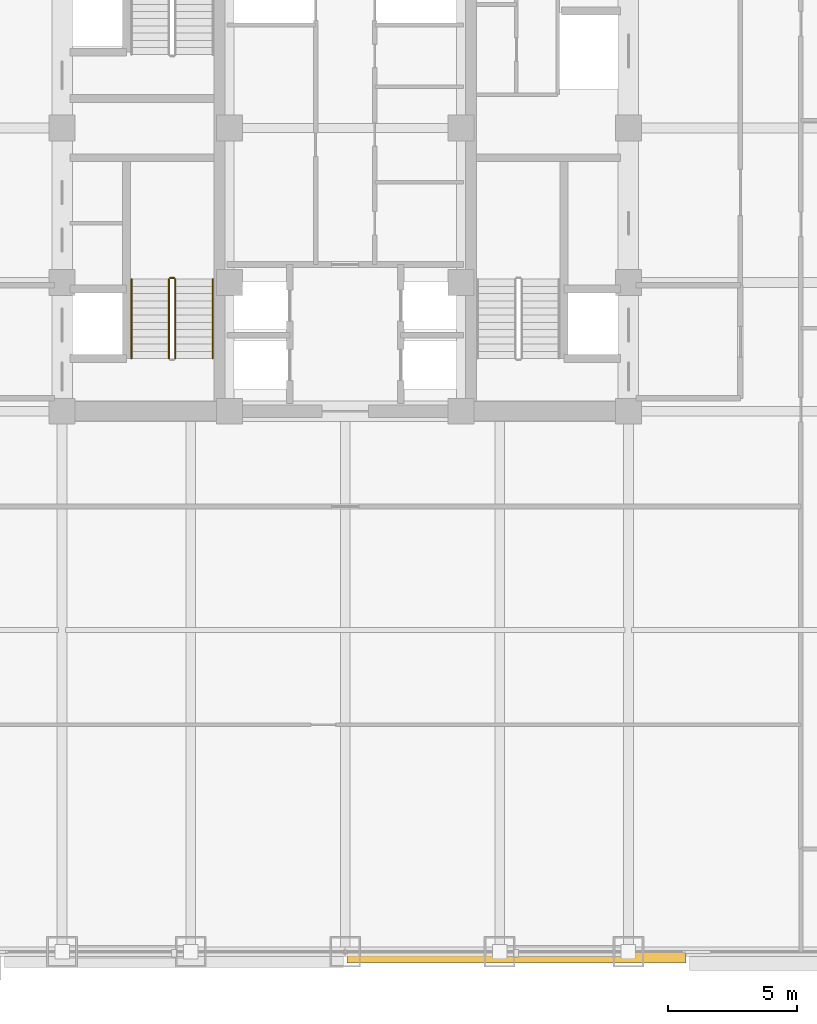
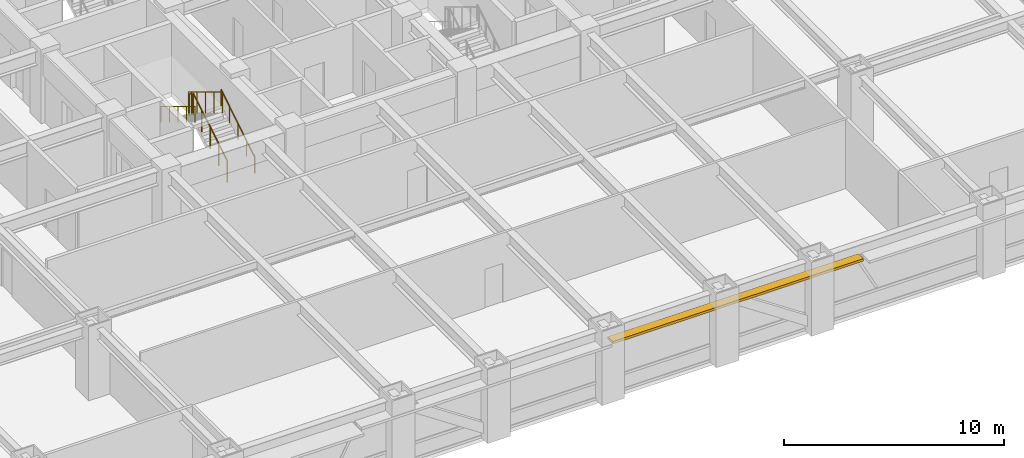
# One storey, part 29 of 32: 5 railings, 1 shading device.
"""IFC4 building model written with IfcOpenShell, lengths in metres."""

from ifc_helpers import new_model, si_unit, direction, frame, origin, origin_2d, place, context, subcontext, project, spatial, rectangle, circle, extrude, source, transform, mapped, material, layer, layer_set, type_object, element, save


model = new_model("IFC4")

# Units and contexts
model_context = context("Model", 3, precision=1e-05, world=origin(), true_north=direction((0.0, 1.0)))
body_context = subcontext(model_context, "Body", "Model", "MODEL_VIEW")
ifc_project = project(units=[si_unit("LENGTHUNIT", "METRE"), si_unit("AREAUNIT", "SQUARE_METRE"), si_unit("VOLUMEUNIT", "CUBIC_METRE"), si_unit("PLANEANGLEUNIT", "RADIAN"), si_unit("MASSUNIT", "GRAM", prefix="KILO")], contexts=[model_context])

# Site, building, storey
site_placement = place(None, origin())
site = spatial("IfcSite", under=ifc_project, at=site_placement, CompositionType="ELEMENT")
building_placement = place(site_placement, origin())
building = spatial("IfcBuilding", under=site, at=building_placement, Name="Khorayat Bourse Tower", CompositionType="ELEMENT")
storey_placement = place(building_placement, frame((0.0, 0.0, 95.5)))
storey = spatial("IfcBuildingStorey", under=building, at=storey_placement, Name="L21", CompositionType="ELEMENT", Elevation=95.5)

# Shading device
ifc_material_1 = material(Name="Precast concrete C45/55", Category="concrete")
ifc_layer = layer(ifc_material_1, 0.139892578125)
ifc_layer_set = layer_set([ifc_layer], Name="Precast concrete C45/55")
shading_device_type = type_object("IfcShadingDeviceType", Name="SHD-WAVE-TRAY-B", PredefinedType="USERDEFINED", material=ifc_layer_set)
shared_shape_1 = source(origin(), body_context, "Body", "SweptSolid", [
    extrude(rectangle(XDim=13.159912109375, YDim=0.45458984375, at=origin_2d()), origin(), (0.0, 0.0, 1.0), 0.139892578125),
])
shading_device_placement = place(storey_placement, frame((6.64990234375, -32.207275390625, 3.08984375), z_axis=(0.0, 0.0, 1.0), x_axis=(1.0, 0.0, 0.0)))
element("IfcShadingDevice", 1, at=shading_device_placement, inside=storey, type_object=shading_device_type, Name="L21 Sinusoidal Wave Sunshade Tray S-3", ObjectType="SUNSHADE", PredefinedType="USERDEFINED", context=body_context, shape_type="MappedRepresentation", body=[
    mapped(shared_shape_1, transform((0.0, 0.0, 0.0), scale=1.0)),
])

# Railings
ifc_material_2 = material(Name="Powder-coated steel balustrade", Category="steel")
railing_type_1 = type_object("IfcRailingType", Name="RLG-GUARD-1200", PredefinedType="GUARDRAIL", material=ifc_material_2)
shared_shape_2 = source(origin(), body_context, "Body", "SweptSolid", [
    extrude(circle(Radius=0.02392578125, at=origin_2d()), frame((0.0, 0.0, 1.17578125), z_axis=(-1.0, 0.0, 0.0), x_axis=(0.0, -1.0, 0.0)), (0.0, 0.0, 1.0), 0.150146484375),
    extrude(circle(Radius=0.02099609375, at=origin_2d()), origin(), (0.0, 0.0, 1.0), 1.15185546875),
    extrude(circle(Radius=0.02099609375, at=origin_2d()), frame((-0.150146484375, 0.0, 0.0)), (0.0, 0.0, 1.0), 1.15185546875),
])
railing_1_placement = place(storey_placement, frame((-6.64990234375, -5.820068359375, 2.050048828125)))
element("IfcRailing", 2, at=railing_1_placement, inside=storey, type_object=railing_type_1, Name="L21 ST-1 stair guard 2", PredefinedType="GUARDRAIL", context=body_context, shape_type="MappedRepresentation", body=[
    mapped(shared_shape_2, transform((0.0, 0.0, 0.0), scale=1.0)),
])
shared_shape_3 = source(origin(), body_context, "Body", "SweptSolid", [
    extrude(circle(Radius=0.02392578125, at=origin_2d()), frame((0.0, 0.0, 1.17578125), z_axis=(0.0, 0.853647949592, 0.520850437417), x_axis=(-1.0, 0.0, 0.0)), (0.0, 0.0, 1.0), 3.60791015625),
    extrude(circle(Radius=0.02099609375, at=origin_2d()), origin(), (0.0, 0.0, 1.0), 1.15185546875),
    extrude(circle(Radius=0.02099609375, at=origin_2d()), frame((0.0, 0.77001953125, 0.4697265625)), (0.0, 0.0, 1.0), 1.15185546875),
    extrude(circle(Radius=0.02099609375, at=origin_2d()), frame((0.0, 1.5400390625, 0.939453125)), (0.0, 0.0, 1.0), 1.15185546875),
    extrude(circle(Radius=0.02099609375, at=origin_2d()), frame((0.0, 2.309814453125, 1.409423828125)), (0.0, 0.0, 1.0), 1.15185546875),
    extrude(circle(Radius=0.02099609375, at=origin_2d()), frame((0.0, 3.079833984375, 1.879150390625)), (0.0, 0.0, 1.0), 1.15185546875),
])
railing_2_placement = place(storey_placement, frame((-6.60009765625, -8.949951171875, 0.1708984375)))
element("IfcRailing", 3, at=railing_2_placement, inside=storey, type_object=railing_type_1, Name="L21 ST-1 stair guard 1", PredefinedType="GUARDRAIL", context=body_context, shape_type="MappedRepresentation", body=[
    mapped(shared_shape_3, transform((0.0, 0.0, 0.0), scale=1.0)),
])
shared_shape_4 = source(origin(), body_context, "Body", "SweptSolid", [
    extrude(circle(Radius=0.02392578125, at=origin_2d()), frame((0.0, 0.0, 1.17578125), z_axis=(0.0, -0.853647949592, 0.520850437417), x_axis=(1.0, 0.0, 0.0)), (0.0, 0.0, 1.0), 3.60791015625),
    extrude(circle(Radius=0.02099609375, at=origin_2d()), origin(), (0.0, 0.0, 1.0), 1.15185546875),
    extrude(circle(Radius=0.02099609375, at=origin_2d()), frame((0.0, -0.77001953125, 0.4697265625)), (0.0, 0.0, 1.0), 1.15185546875),
    extrude(circle(Radius=0.02099609375, at=origin_2d()), frame((0.0, -1.5400390625, 0.939453125)), (0.0, 0.0, 1.0), 1.15185546875),
    extrude(circle(Radius=0.02099609375, at=origin_2d()), frame((0.0, -2.309814453125, 1.409423828125)), (0.0, 0.0, 1.0), 1.15185546875),
    extrude(circle(Radius=0.02099609375, at=origin_2d()), frame((0.0, -3.079833984375, 1.879150390625)), (0.0, 0.0, 1.0), 1.15185546875),
])
railing_3_placement = place(storey_placement, frame((-6.85009765625, -5.8701171875, 2.220947265625)))
element("IfcRailing", 4, at=railing_3_placement, inside=storey, type_object=railing_type_1, Name="L21 ST-1 stair guard 3", PredefinedType="GUARDRAIL", context=body_context, shape_type="MappedRepresentation", body=[
    mapped(shared_shape_4, transform((0.0, 0.0, 0.0), scale=1.0)),
])
ifc_material_3 = material(Name="Brushed bronze stainless-steel handrail", Category="steel")
railing_type_2 = type_object("IfcRailingType", Name="RLG-HAND-900", PredefinedType="HANDRAIL", material=ifc_material_3)
shared_shape_5 = source(origin(), body_context, "Body", "SweptSolid", [
    extrude(circle(Radius=0.02392578125, at=origin_2d()), frame((0.0, 0.0, 0.8759765625), z_axis=(0.0, 0.853647949592, 0.520850437417), x_axis=(-1.0, 0.0, 0.0)), (0.0, 0.0, 1.0), 3.60791015625),
    extrude(circle(Radius=0.02099609375, at=origin_2d()), origin(), (0.0, 0.0, 1.0), 0.851806640625),
    extrude(circle(Radius=0.02099609375, at=origin_2d()), frame((0.0, 0.77001953125, 0.4697265625)), (0.0, 0.0, 1.0), 0.851806640625),
    extrude(circle(Radius=0.02099609375, at=origin_2d()), frame((0.0, 1.5400390625, 0.939453125)), (0.0, 0.0, 1.0), 0.851806640625),
    extrude(circle(Radius=0.02099609375, at=origin_2d()), frame((0.0, 2.309814453125, 1.409423828125)), (0.0, 0.0, 1.0), 0.851806640625),
    extrude(circle(Radius=0.02099609375, at=origin_2d()), frame((0.0, 3.079833984375, 1.879150390625)), (0.0, 0.0, 1.0), 0.851806640625),
])
railing_4_placement = place(storey_placement, frame((-5.14990234375, -8.949951171875, 0.1708984375)))
element("IfcRailing", 5, at=railing_4_placement, inside=storey, type_object=railing_type_2, Name="L21 ST-1 stair handrail 1", PredefinedType="HANDRAIL", context=body_context, shape_type="MappedRepresentation", body=[
    mapped(shared_shape_5, transform((0.0, 0.0, 0.0), scale=1.0)),
])
shared_shape_6 = source(origin(), body_context, "Body", "SweptSolid", [
    extrude(circle(Radius=0.02392578125, at=origin_2d()), frame((0.0, 0.0, 0.8759765625), z_axis=(0.0, -0.853647949592, 0.520850437417), x_axis=(1.0, 0.0, 0.0)), (0.0, 0.0, 1.0), 3.60791015625),
    extrude(circle(Radius=0.02099609375, at=origin_2d()), origin(), (0.0, 0.0, 1.0), 0.851806640625),
    extrude(circle(Radius=0.02099609375, at=origin_2d()), frame((0.0, -0.77001953125, 0.4697265625)), (0.0, 0.0, 1.0), 0.851806640625),
    extrude(circle(Radius=0.02099609375, at=origin_2d()), frame((0.0, -1.5400390625, 0.939453125)), (0.0, 0.0, 1.0), 0.851806640625),
    extrude(circle(Radius=0.02099609375, at=origin_2d()), frame((0.0, -2.309814453125, 1.409423828125)), (0.0, 0.0, 1.0), 0.851806640625),
    extrude(circle(Radius=0.02099609375, at=origin_2d()), frame((0.0, -3.079833984375, 1.879150390625)), (0.0, 0.0, 1.0), 0.851806640625),
])
railing_5_placement = place(storey_placement, frame((-8.300048828125, -5.8701171875, 2.220947265625)))
element("IfcRailing", 6, at=railing_5_placement, inside=storey, type_object=railing_type_2, Name="L21 ST-1 stair handrail 2", PredefinedType="HANDRAIL", context=body_context, shape_type="MappedRepresentation", body=[
    mapped(shared_shape_6, transform((0.0, 0.0, 0.0), scale=1.0)),
])

save(model, "model.ifc")
